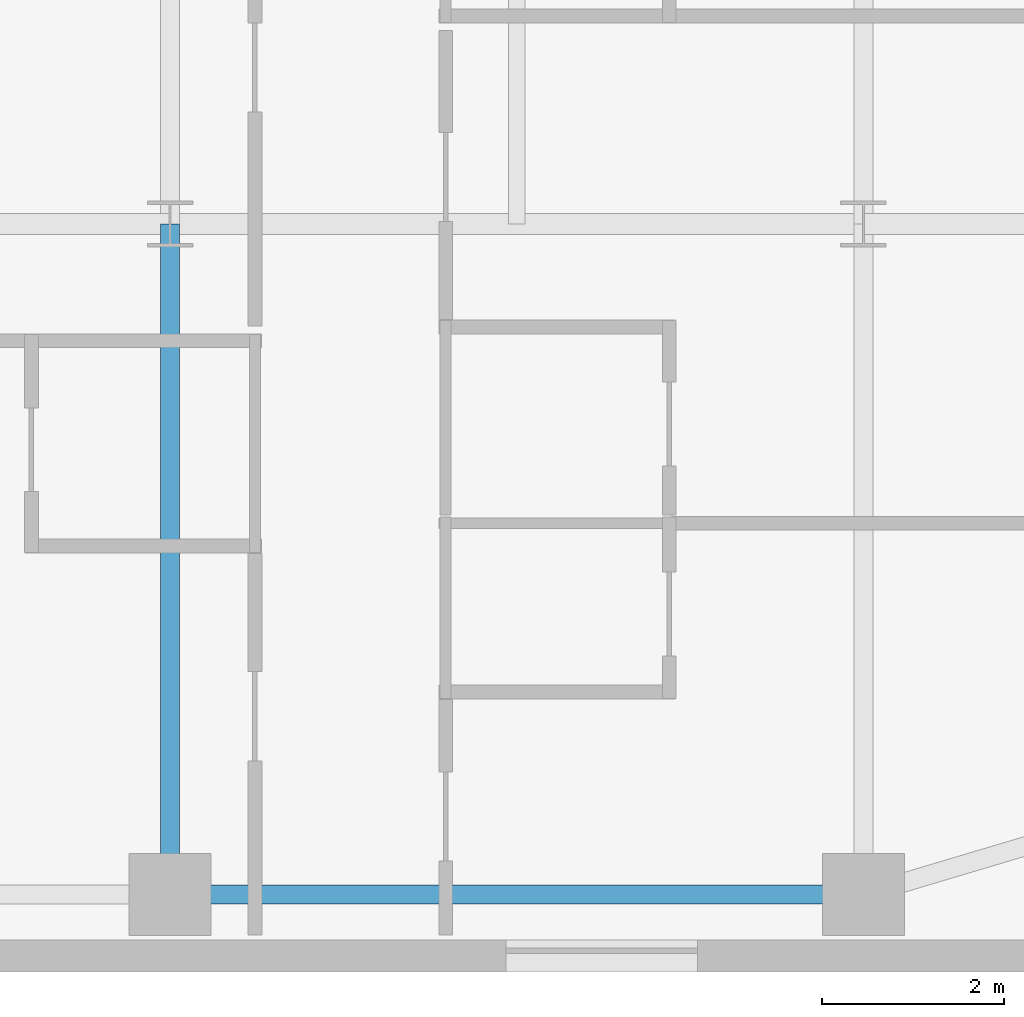
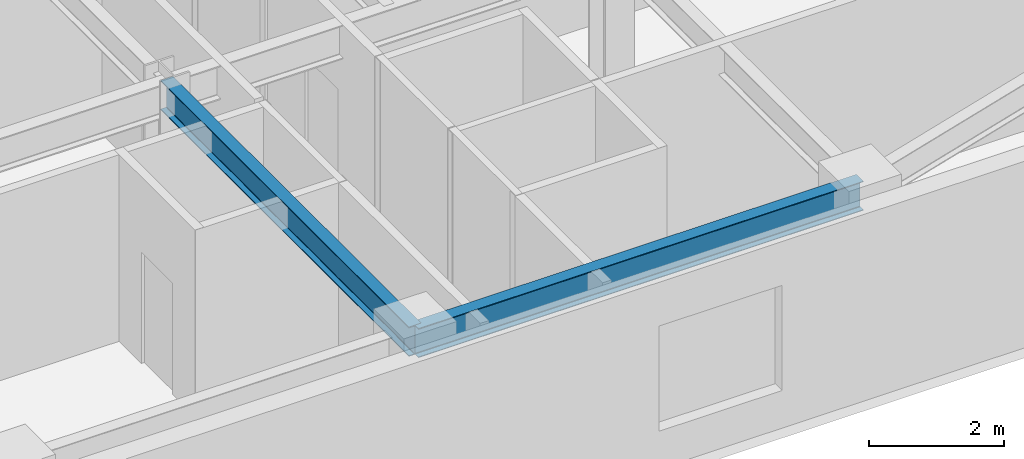
# One storey, part 6 of 17: 2 beams.
"""IFC4 building model written with IfcOpenShell, lengths in metres."""

from ifc_helpers import new_model, si_unit, direction, frame, origin, origin_2d, place, context, subcontext, project, spatial, i_section, extrude, source, transform, mapped, material, material_profile, profile_set, type_object, type_shapes, element, save


model = new_model("IFC4")

# Units and contexts
model_context = context("Model", 3, precision=1e-05, world=origin(), true_north=direction((0.0, 1.0)))
body_context = subcontext(model_context, "Body", "Model", "MODEL_VIEW")
ifc_project = project(units=[si_unit("LENGTHUNIT", "METRE"), si_unit("AREAUNIT", "SQUARE_METRE"), si_unit("VOLUMEUNIT", "CUBIC_METRE"), si_unit("PLANEANGLEUNIT", "RADIAN"), si_unit("MASSUNIT", "GRAM", prefix="KILO")], contexts=[model_context])

# Site, building, storey
site_placement = place(None, origin())
site = spatial("IfcSite", under=ifc_project, at=site_placement, CompositionType="ELEMENT")
building_placement = place(site_placement, origin())
building = spatial("IfcBuilding", under=site, at=building_placement, Name="Tolvann Quenvar Hotel", CompositionType="ELEMENT")
storey_placement = place(building_placement, frame((0.0, 0.0, 108.0)))
storey = spatial("IfcBuildingStorey", under=building, at=storey_placement, Name="L27", CompositionType="ELEMENT", Elevation=108.0)

# Beams
ifc_material = material(Name="Steel Grade 350", Category="steel")
ifc_material_profile_1 = material_profile(ifc_material, i_section(OverallWidth=0.208984375, OverallDepth=0.528076171875, WebThickness=0.009521484375, FlangeThickness=0.01318359375, FilletRadius=0.013916015625, at=origin_2d()), Name="530UB82")
ifc_profile_set_1 = profile_set([ifc_material_profile_1], Name="Steel Grade 350")
beam_type_1 = type_object("IfcBeamType", Name="BM_SPAND_530UB82", PredefinedType="SPANDREL", material=ifc_profile_set_1)
shared_shape_1 = source(origin(), body_context, "Body", "SweptSolid", [
    extrude(i_section(OverallWidth=0.208984375, OverallDepth=0.528076171875, WebThickness=0.009521484375, FlangeThickness=0.01318359375, FilletRadius=0.013916015625, at=origin_2d()), origin(), (0.0, 0.0, 1.0), 7.599853515625),
])
type_shapes(beam_type_1, [shared_shape_1])
beam_1_placement = place(storey_placement, frame((41.800048828125, 0.85009765625, 3.10595703125), z_axis=(1.0, 0.0, 0.0), x_axis=(0.0, 1.0, 0.0)))
element("IfcBeam", 1, at=beam_1_placement, inside=storey, type_object=beam_type_1, Name="BM-L27-EW-2-H2-I2", PredefinedType="SPANDREL", context=body_context, shape_type="MappedRepresentation", body=[
    mapped(shared_shape_1, transform((0.0, 0.0, 0.0), x_axis=(1.0, 0.0, 0.0), y_axis=(0.0, 1.0, 0.0), z_axis=(0.0, 0.0, 1.0), scale=1.0)),
])
ifc_material_profile_2 = material_profile(ifc_material, i_section(OverallWidth=0.208984375, OverallDepth=0.532958984375, WebThickness=0.01025390625, FlangeThickness=0.015625, FilletRadius=0.013916015625, at=origin_2d()), Name="530UB92")
ifc_profile_set_2 = profile_set([ifc_material_profile_2], Name="Steel Grade 350")
beam_type_2 = type_object("IfcBeamType", Name="BM_GIRD_530UB92", PredefinedType="BEAM", material=ifc_profile_set_2)
shared_shape_2 = source(origin(), body_context, "Body", "SweptSolid", [
    extrude(i_section(OverallWidth=0.208984375, OverallDepth=0.532958984375, WebThickness=0.01025390625, FlangeThickness=0.015625, FilletRadius=0.013916015625, at=origin_2d()), origin(), (0.0, 0.0, 1.0), 7.349853515625),
])
type_shapes(beam_type_2, [shared_shape_2])
beam_2_placement = place(storey_placement, frame((41.800048828125, 0.85009765625, 3.103515625), z_axis=(0.0, 1.0, 0.0), x_axis=(-1.0, 0.0, 0.0)))
element("IfcBeam", 2, at=beam_2_placement, inside=storey, type_object=beam_type_2, Name="BM-L27-NS-H2-H3", PredefinedType="BEAM", context=body_context, shape_type="MappedRepresentation", body=[
    mapped(shared_shape_2, transform((0.0, 0.0, 0.0), x_axis=(1.0, 0.0, 0.0), y_axis=(0.0, 1.0, 0.0), z_axis=(0.0, 0.0, 1.0), scale=1.0)),
])

save(model, "model.ifc")
